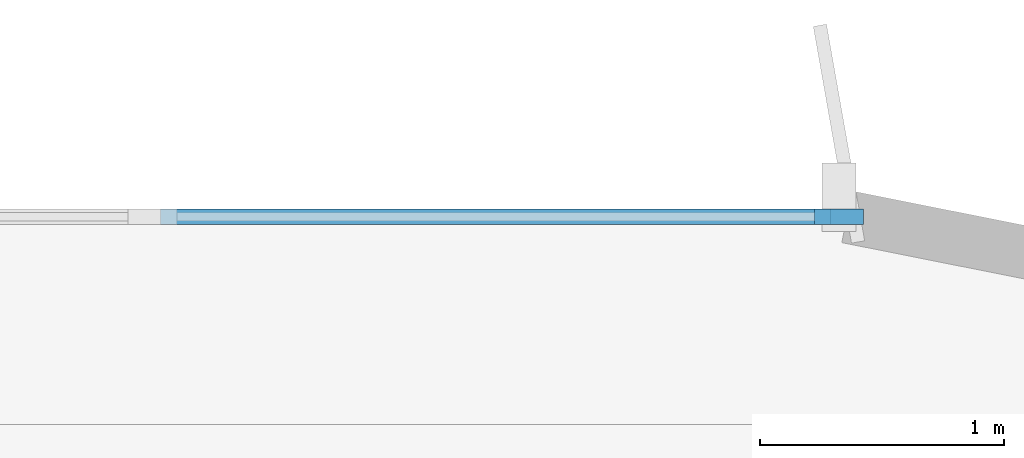
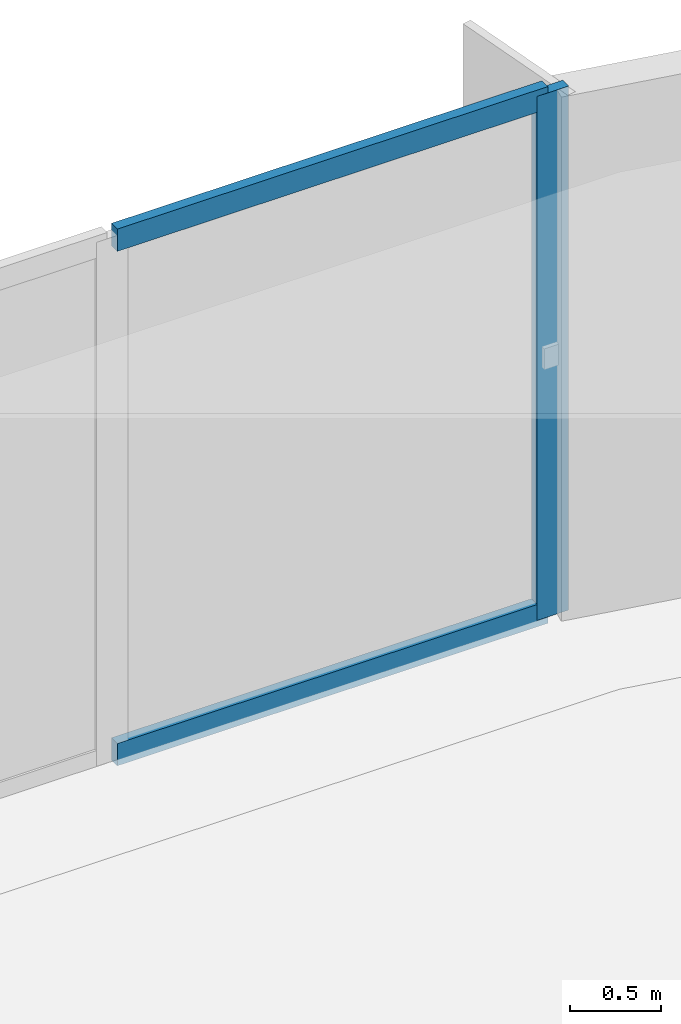
# One storey, part 8 of 17: 3 members, 1 element without a shape of its own.
"""IFC4 building model written with IfcOpenShell, lengths in metres."""

from ifc_helpers import new_model, si_unit, direction, frame, origin, origin_2d, place, context, subcontext, project, spatial, rectangle, extrude, source, transform, mapped, material, layer, layer_set, material_profile, profile_set, type_object, element, aggregate, save


model = new_model("IFC4")

# Units and contexts
model_context = context("Model", 3, precision=1e-05, world=origin(), true_north=direction((0.0, 1.0)))
body_context = subcontext(model_context, "Body", "Model", "MODEL_VIEW")
ifc_project = project(units=[si_unit("LENGTHUNIT", "METRE"), si_unit("AREAUNIT", "SQUARE_METRE"), si_unit("VOLUMEUNIT", "CUBIC_METRE"), si_unit("PLANEANGLEUNIT", "RADIAN"), si_unit("MASSUNIT", "GRAM", prefix="KILO")], contexts=[model_context])

# Site, building, storey
site_placement = place(None, origin())
site = spatial("IfcSite", under=ifc_project, at=site_placement, CompositionType="ELEMENT")
building_placement = place(site_placement, origin())
building = spatial("IfcBuilding", under=site, at=building_placement, Name="Brelvock Crest Care Tower", CompositionType="ELEMENT")
storey_placement = place(building_placement, frame((0.0, 0.0, 49.679931640625)))
storey = spatial("IfcBuildingStorey", under=building, at=storey_placement, Name="L12", CompositionType="ELEMENT", Elevation=49.679931640625)

# Curtain wall, members
ifc_material_1 = material(Name="Dark Glass Double Glazed Low-E", Category="glass")
ifc_layer = layer(ifc_material_1, 0.195068359375, Name="CWS-2")
ifc_layer_set = layer_set([ifc_layer], Name="Dark Glass Double Glazed Low-E")
curtain_wall_type = type_object("IfcCurtainWallType", Name="CWS-2", PredefinedType="NOTDEFINED", material=ifc_layer_set)
curtain_wall_placement = place(storey_placement, origin())
curtain_wall = element("IfcCurtainWall", 1, at=curtain_wall_placement, inside=storey, type_object=curtain_wall_type, Name="L12 Curtain Wall E30", PredefinedType="NOTDEFINED")
ifc_material_2 = material(Name="Aluminium 6063-T6", Category="aluminium")
ifc_material_profile_1 = material_profile(ifc_material_2, rectangle(XDim=0.06494140625, YDim=0.199951171875, at=origin_2d()), Name="ALU65x200")
ifc_profile_set_1 = profile_set([ifc_material_profile_1], Name="Aluminium 6063-T6")
member_type_1 = type_object("IfcMemberType", Name="CWM-1", PredefinedType="MULLION", material=ifc_profile_set_1)
shared_shape_1 = source(origin(), body_context, "Body", "SweptSolid", [
    extrude(rectangle(XDim=0.06494140625, YDim=0.199951171875, at=origin_2d()), origin(), (0.0, 0.0, 1.0), 3.530029296875),
])
member_1_placement = place(storey_placement, frame((56.767578125, 36.0, 0.0), z_axis=(0.0, 0.0, 1.0), x_axis=(0.0, 1.0, 0.0)))
member_1 = element("IfcMember", 2, at=member_1_placement, type_object=member_type_1, Name="CW-2 mullion 6", PredefinedType="MULLION", context=body_context, shape_type="MappedRepresentation", body=[
    mapped(shared_shape_1, transform((0.0, 0.0, 0.0), x_axis=(1.0, 0.0, 0.0), y_axis=(0.0, 1.0, 0.0), z_axis=(0.0, 0.0, 1.0), scale=1.0)),
])
ifc_material_profile_2 = material_profile(ifc_material_2, rectangle(XDim=0.06494140625, YDim=0.14990234375, at=origin_2d()), Name="ALU65x150")
ifc_profile_set_2 = profile_set([ifc_material_profile_2], Name="Aluminium 6063-T6")
member_type_2 = type_object("IfcMemberType", Name="CWT-1", PredefinedType="USERDEFINED", material=ifc_profile_set_2)
shared_shape_2 = source(origin(), body_context, "Body", "SweptSolid", [
    extrude(rectangle(XDim=0.06494140625, YDim=0.14990234375, at=origin_2d()), origin(), (0.0, 0.0, 1.0), 2.74267578125),
])
member_2_placement = place(storey_placement, frame((53.992431640625, 36.0, 0.032470703125), z_axis=(1.0, 0.0, 0.0), x_axis=(0.0, 1.0, 0.0)))
member_2 = element("IfcMember", 3, at=member_2_placement, type_object=member_type_2, Name="CW-2 transom 5.1", ObjectType="TRANSOM", PredefinedType="USERDEFINED", context=body_context, shape_type="MappedRepresentation", body=[
    mapped(shared_shape_2, transform((0.0, 0.0, 0.0), x_axis=(1.0, 0.0, 0.0), y_axis=(0.0, 1.0, 0.0), z_axis=(0.0, 0.0, 1.0), scale=1.0)),
])
member_3_placement = place(storey_placement, frame((53.992431640625, 36.0, 3.49755859375), z_axis=(1.0, 0.0, 0.0), x_axis=(0.0, 1.0, 0.0)))
member_3 = element("IfcMember", 4, at=member_3_placement, type_object=member_type_2, Name="CW-2 transom 5.2", ObjectType="TRANSOM", PredefinedType="USERDEFINED", context=body_context, shape_type="MappedRepresentation", body=[
    mapped(shared_shape_2, transform((0.0, 0.0, 0.0), x_axis=(1.0, 0.0, 0.0), y_axis=(0.0, 1.0, 0.0), z_axis=(0.0, 0.0, 1.0), scale=1.0)),
])
aggregate(curtain_wall, [member_1, member_2, member_3])

save(model, "model.ifc")
